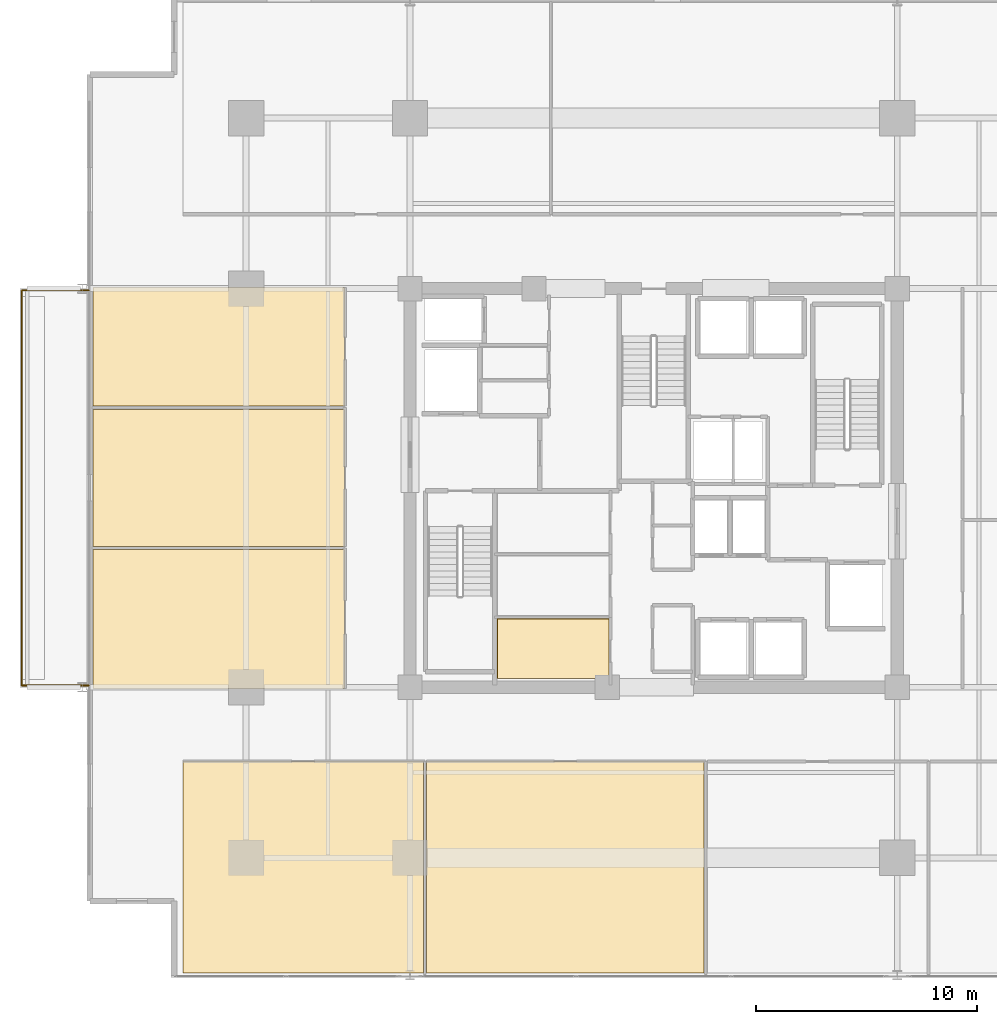
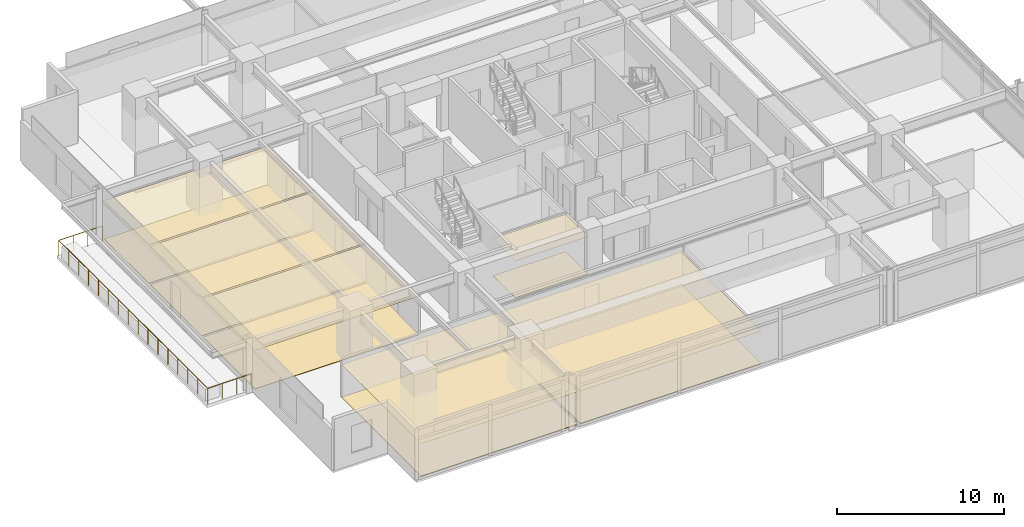
# One storey, part 17 of 20: 12 coverings, 1 railing.
"""IFC4 building model written with IfcOpenShell, lengths in metres."""

from ifc_helpers import new_model, si_unit, direction, frame, origin, origin_2d, place, context, subcontext, project, spatial, polyline, circle, outline, extrude, material, layer, layer_set, type_object, element, save


model = new_model("IFC4")

# Units and contexts
model_context = context("Model", 3, precision=1e-05, world=origin(), true_north=direction((0.0, 1.0)))
body_context = subcontext(model_context, "Body", "Model", "MODEL_VIEW")
ifc_project = project(units=[si_unit("LENGTHUNIT", "METRE"), si_unit("AREAUNIT", "SQUARE_METRE"), si_unit("VOLUMEUNIT", "CUBIC_METRE"), si_unit("PLANEANGLEUNIT", "RADIAN"), si_unit("MASSUNIT", "GRAM", prefix="KILO")], contexts=[model_context])

# Site, building, storey
site_placement = place(None, origin())
site = spatial("IfcSite", under=ifc_project, at=site_placement, CompositionType="ELEMENT")
building_placement = place(site_placement, origin())
building = spatial("IfcBuilding", under=site, at=building_placement, Name="Kovane Verandah Tower", CompositionType="ELEMENT")
storey_placement = place(building_placement, frame((0.0, 0.0, 160.39990234375)))
storey = spatial("IfcBuildingStorey", under=building, at=storey_placement, Name="L37", CompositionType="ELEMENT", Elevation=160.39990234375)

# Coverings
ifc_material_1 = material(Name="Perforated Acoustic Mineral-Fibre Ceiling Tile", Category="gypsum")
ifc_layer_1 = layer(ifc_material_1, 0.02490234375)
ifc_layer_set_1 = layer_set([ifc_layer_1], Name="Perforated Acoustic Mineral-Fibre Ceiling Tile")
covering_type_1 = type_object("IfcCoveringType", Name="CV-CEIL-25", PredefinedType="CEILING", material=ifc_layer_set_1)
covering_1_placement = place(storey_placement, frame((0.0, 0.0, 2.72998046875)))
element("IfcCovering", 1, at=covering_1_placement, inside=storey, type_object=covering_type_1, Name="L37 Project Archive Room Acoustic Ceiling", PredefinedType="CEILING", context=body_context, shape_type="SweptSolid", body=[
    extrude(outline(polyline([(32.93505859375, 18.885009765625), (37.9951171875, 18.885009765625), (37.9951171875, 21.594970703125), (32.93505859375, 21.594970703125), (32.93505859375, 18.885009765625)])), origin(), (0.0, 0.0, 1.0), 0.025146484375),
])
covering_2_placement = place(storey_placement, frame((0.0, 0.0, 2.380126953125)))
element("IfcCovering", 2, at=covering_2_placement, inside=storey, type_object=covering_type_1, Name="L37 Collaboration Hub S1 Acoustic Ceiling", PredefinedType="CEILING", context=body_context, shape_type="SweptSolid", body=[
    extrude(outline(polyline([(18.740966796875, 5.588623046875), (29.60400390625, 5.588623046875), (29.60400390625, 15.14990234375), (18.740966796875, 15.14990234375), (18.740966796875, 5.588623046875)])), origin(), (0.0, 0.0, 1.0), 0.02490234375),
])
covering_3_placement = place(storey_placement, frame((0.0, 0.0, 2.380126953125)))
element("IfcCovering", 3, at=covering_3_placement, inside=storey, type_object=covering_type_1, Name="L37 Document and Print Room S2 Acoustic Ceiling", PredefinedType="CEILING", context=body_context, shape_type="SweptSolid", body=[
    extrude(outline(polyline([(29.743896484375, 5.588623046875), (42.285888671875, 5.588623046875), (42.285888671875, 15.14990234375), (29.743896484375, 15.14990234375), (29.743896484375, 5.588623046875)])), origin(), (0.0, 0.0, 1.0), 0.02490234375),
])
covering_4_placement = place(storey_placement, frame((0.0, 0.0, 2.8251953125)))
element("IfcCovering", 4, at=covering_4_placement, inside=storey, type_object=covering_type_1, Name="L37 Client Boardroom W1 Acoustic Ceiling", PredefinedType="CEILING", context=body_context, shape_type="SweptSolid", body=[
    extrude(outline(polyline([(14.69091796875, 18.449951171875), (26.050048828125, 18.449951171875), (26.050048828125, 24.715087890625), (14.69091796875, 24.715087890625), (14.69091796875, 18.449951171875)])), origin(), (0.0, 0.0, 1.0), 0.02490234375),
])
covering_5_placement = place(storey_placement, frame((0.0, 0.0, 2.8251953125)))
element("IfcCovering", 5, at=covering_5_placement, inside=storey, type_object=covering_type_1, Name="L37 Meeting Room W2 Acoustic Ceiling", PredefinedType="CEILING", context=body_context, shape_type="SweptSolid", body=[
    extrude(outline(polyline([(14.69091796875, 24.85498046875), (26.050048828125, 24.85498046875), (26.050048828125, 31.050048828125), (14.69091796875, 31.050048828125), (14.69091796875, 24.85498046875)])), origin(), (0.0, 0.0, 1.0), 0.02490234375),
])
covering_6_placement = place(storey_placement, frame((0.0, 0.0, 2.8251953125)))
element("IfcCovering", 6, at=covering_6_placement, inside=storey, type_object=covering_type_1, Name="L37 Focus Studio W3 Acoustic Ceiling", PredefinedType="CEILING", context=body_context, shape_type="SweptSolid", body=[
    extrude(outline(polyline([(14.69091796875, 31.18994140625), (26.050048828125, 31.18994140625), (26.050048828125, 36.550048828125), (14.69091796875, 36.550048828125), (14.69091796875, 31.18994140625)])), origin(), (0.0, 0.0, 1.0), 0.02490234375),
])
ifc_material_2 = material(Name="Polished Terrazzo and Raised-Access Carpet Tile Finish", Category="concrete")
ifc_layer_2 = layer(ifc_material_2, 0.030029296875)
ifc_layer_set_2 = layer_set([ifc_layer_2], Name="Polished Terrazzo and Raised-Access Carpet Tile Finish")
covering_type_2 = type_object("IfcCoveringType", Name="CV-FLOR-30", PredefinedType="FLOORING", material=ifc_layer_set_2)
covering_7_placement = place(storey_placement, origin())
element("IfcCovering", 7, at=covering_7_placement, inside=storey, type_object=covering_type_2, Name="L37 Project Archive Room Floor Finish", PredefinedType="FLOORING", context=body_context, shape_type="SweptSolid", body=[
    extrude(outline(polyline([(32.949951171875, 18.89990234375), (37.97998046875, 18.89990234375), (37.97998046875, 21.580078125), (32.949951171875, 21.580078125), (32.949951171875, 18.89990234375)])), origin(), (0.0, 0.0, 1.0), 0.030029296875),
])
covering_8_placement = place(storey_placement, origin())
element("IfcCovering", 8, at=covering_8_placement, inside=storey, type_object=covering_type_2, Name="L37 Collaboration Hub S1 Floor Finish", PredefinedType="FLOORING", context=body_context, shape_type="SweptSolid", body=[
    extrude(outline(polyline([(18.740966796875, 5.588623046875), (29.60400390625, 5.588623046875), (29.60400390625, 15.14990234375), (18.740966796875, 15.14990234375), (18.740966796875, 5.588623046875)])), origin(), (0.0, 0.0, 1.0), 0.030029296875),
])
covering_9_placement = place(storey_placement, origin())
element("IfcCovering", 9, at=covering_9_placement, inside=storey, type_object=covering_type_2, Name="L37 Document and Print Room S2 Floor Finish", PredefinedType="FLOORING", context=body_context, shape_type="SweptSolid", body=[
    extrude(outline(polyline([(29.743896484375, 5.588623046875), (42.285888671875, 5.588623046875), (42.285888671875, 15.14990234375), (29.743896484375, 15.14990234375), (29.743896484375, 5.588623046875)])), origin(), (0.0, 0.0, 1.0), 0.030029296875),
])
covering_10_placement = place(storey_placement, origin())
element("IfcCovering", 10, at=covering_10_placement, inside=storey, type_object=covering_type_2, Name="L37 Client Boardroom W1 Floor Finish", PredefinedType="FLOORING", context=body_context, shape_type="SweptSolid", body=[
    extrude(outline(polyline([(14.69091796875, 18.449951171875), (26.050048828125, 18.449951171875), (26.050048828125, 24.715087890625), (14.69091796875, 24.715087890625), (14.69091796875, 18.449951171875)])), origin(), (0.0, 0.0, 1.0), 0.030029296875),
])
covering_11_placement = place(storey_placement, origin())
element("IfcCovering", 11, at=covering_11_placement, inside=storey, type_object=covering_type_2, Name="L37 Meeting Room W2 Floor Finish", PredefinedType="FLOORING", context=body_context, shape_type="SweptSolid", body=[
    extrude(outline(polyline([(14.69091796875, 24.85498046875), (26.050048828125, 24.85498046875), (26.050048828125, 31.050048828125), (14.69091796875, 31.050048828125), (14.69091796875, 24.85498046875)])), origin(), (0.0, 0.0, 1.0), 0.030029296875),
])
covering_12_placement = place(storey_placement, origin())
element("IfcCovering", 12, at=covering_12_placement, inside=storey, type_object=covering_type_2, Name="L37 Focus Studio W3 Floor Finish", PredefinedType="FLOORING", context=body_context, shape_type="SweptSolid", body=[
    extrude(outline(polyline([(14.69091796875, 31.18994140625), (26.050048828125, 31.18994140625), (26.050048828125, 36.550048828125), (14.69091796875, 36.550048828125), (14.69091796875, 31.18994140625)])), origin(), (0.0, 0.0, 1.0), 0.030029296875),
])

# Railing
ifc_material_3 = material(Name="Laminated Glass and Pale-Champagne Stainless Balustrade", Category="glass")
railing_type = type_object("IfcRailingType", Name="RL-BAL-1150", PredefinedType="BALUSTRADE", material=ifc_material_3)
railing_placement = place(storey_placement, frame((14.490966796875, 18.580078125, 0.0)))
element("IfcRailing", 13, at=railing_placement, inside=storey, type_object=railing_type, Name="L37 W Verandah Glass Balustrade", PredefinedType="BALUSTRADE", context=body_context, shape_type="SweptSolid", body=[
    extrude(circle(Radius=0.02392578125, at=origin_2d()), frame((0.0, 0.0, 1.1259765625), z_axis=(-1.0, 0.0, 0.0), x_axis=(0.0, -1.0, 0.0)), (0.0, 0.0, 1.0), 3.02001953125),
    extrude(circle(Radius=0.02392578125, at=origin_2d()), frame((-3.02001953125, 0.0, 1.1259765625), z_axis=(0.0, 1.0, 0.0), x_axis=(-1.0, 0.0, 0.0)), (0.0, 0.0, 1.0), 17.83984375),
    extrude(circle(Radius=0.02392578125, at=origin_2d()), frame((-3.02001953125, 17.83984375, 1.1259765625), z_axis=(1.0, 0.0, 0.0), x_axis=(0.0, 1.0, 0.0)), (0.0, 0.0, 1.0), 3.02001953125),
    extrude(circle(Radius=0.02099609375, at=origin_2d()), origin(), (0.0, 0.0, 1.0), 1.101806640625),
    extrude(circle(Radius=0.02099609375, at=origin_2d()), frame((-1.006591796875, 0.0, 0.0)), (0.0, 0.0, 1.0), 1.101806640625),
    extrude(circle(Radius=0.02099609375, at=origin_2d()), frame((-2.013427734375, 0.0, 0.0)), (0.0, 0.0, 1.0), 1.101806640625),
    extrude(circle(Radius=0.02099609375, at=origin_2d()), frame((-3.02001953125, 0.0, 0.0)), (0.0, 0.0, 1.0), 1.101806640625),
    extrude(circle(Radius=0.02099609375, at=origin_2d()), frame((-3.02001953125, 1.189208984375, 0.0)), (0.0, 0.0, 1.0), 1.101806640625),
    extrude(circle(Radius=0.02099609375, at=origin_2d()), frame((-3.02001953125, 2.378662109375, 0.0)), (0.0, 0.0, 1.0), 1.101806640625),
    extrude(circle(Radius=0.02099609375, at=origin_2d()), frame((-3.02001953125, 3.56787109375, 0.0)), (0.0, 0.0, 1.0), 1.101806640625),
    extrude(circle(Radius=0.02099609375, at=origin_2d()), frame((-3.02001953125, 4.75732421875, 0.0)), (0.0, 0.0, 1.0), 1.101806640625),
    extrude(circle(Radius=0.02099609375, at=origin_2d()), frame((-3.02001953125, 5.946533203125, 0.0)), (0.0, 0.0, 1.0), 1.101806640625),
    extrude(circle(Radius=0.02099609375, at=origin_2d()), frame((-3.02001953125, 7.135986328125, 0.0)), (0.0, 0.0, 1.0), 1.101806640625),
    extrude(circle(Radius=0.02099609375, at=origin_2d()), frame((-3.02001953125, 8.3251953125, 0.0)), (0.0, 0.0, 1.0), 1.101806640625),
    extrude(circle(Radius=0.02099609375, at=origin_2d()), frame((-3.02001953125, 9.5146484375, 0.0)), (0.0, 0.0, 1.0), 1.101806640625),
    extrude(circle(Radius=0.02099609375, at=origin_2d()), frame((-3.02001953125, 10.703857421875, 0.0)), (0.0, 0.0, 1.0), 1.101806640625),
    extrude(circle(Radius=0.02099609375, at=origin_2d()), frame((-3.02001953125, 11.893310546875, 0.0)), (0.0, 0.0, 1.0), 1.101806640625),
    extrude(circle(Radius=0.02099609375, at=origin_2d()), frame((-3.02001953125, 13.08251953125, 0.0)), (0.0, 0.0, 1.0), 1.101806640625),
    extrude(circle(Radius=0.02099609375, at=origin_2d()), frame((-3.02001953125, 14.27197265625, 0.0)), (0.0, 0.0, 1.0), 1.101806640625),
    extrude(circle(Radius=0.02099609375, at=origin_2d()), frame((-3.02001953125, 15.461181640625, 0.0)), (0.0, 0.0, 1.0), 1.101806640625),
    extrude(circle(Radius=0.02099609375, at=origin_2d()), frame((-3.02001953125, 16.650634765625, 0.0)), (0.0, 0.0, 1.0), 1.101806640625),
    extrude(circle(Radius=0.02099609375, at=origin_2d()), frame((-3.02001953125, 17.83984375, 0.0)), (0.0, 0.0, 1.0), 1.101806640625),
    extrude(circle(Radius=0.02099609375, at=origin_2d()), frame((-2.013427734375, 17.83984375, 0.0)), (0.0, 0.0, 1.0), 1.101806640625),
    extrude(circle(Radius=0.02099609375, at=origin_2d()), frame((-1.006591796875, 17.83984375, 0.0)), (0.0, 0.0, 1.0), 1.101806640625),
    extrude(circle(Radius=0.02099609375, at=origin_2d()), frame((0.0, 17.83984375, 0.0)), (0.0, 0.0, 1.0), 1.101806640625),
])

save(model, "model.ifc")
